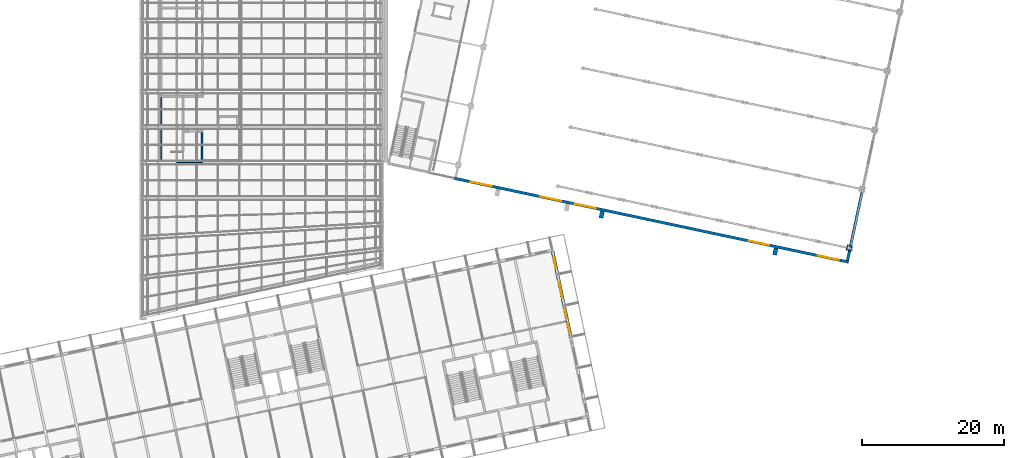
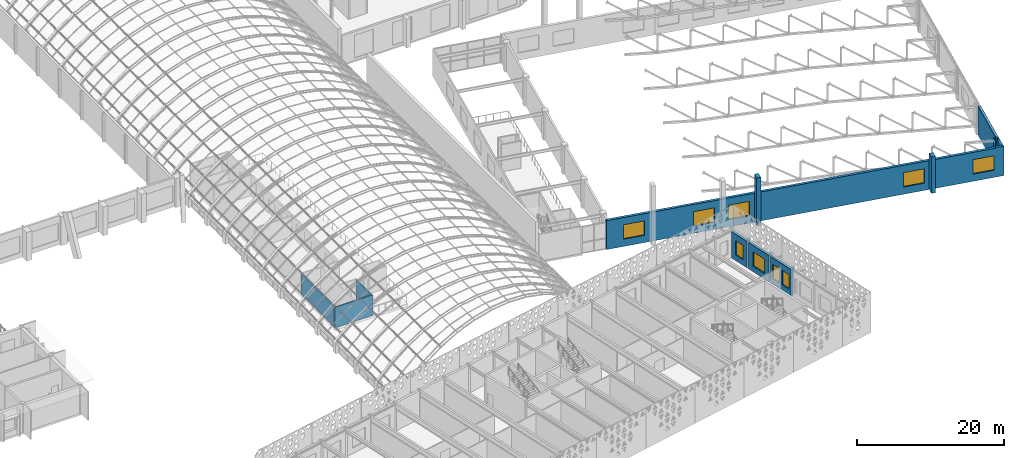
# One storey, part 134 of 182: 14 walls, 9 windows, 9 openings.
"""IFC4 building model written with IfcOpenShell, lengths in metres."""

from ifc_helpers import new_model, si_unit, direction, frame, frame_2d, origin, place, context, subcontext, project, spatial, polyline, rectangle, outline, extrude, material, layer, layer_set, type_object, element, fill, save


model = new_model("IFC4")

# Units and contexts
model_context = context("Model", 3, precision=1e-05, world=origin(), true_north=direction((0.0, 1.0)))
body_context = subcontext(model_context, "Body", "Model", "MODEL_VIEW")
ifc_project = project(units=[si_unit("LENGTHUNIT", "METRE"), si_unit("AREAUNIT", "SQUARE_METRE"), si_unit("VOLUMEUNIT", "CUBIC_METRE"), si_unit("PLANEANGLEUNIT", "RADIAN"), si_unit("MASSUNIT", "GRAM", prefix="KILO")], contexts=[model_context])

# Site, building, storey
site_placement = place(None, origin())
site = spatial("IfcSite", under=ifc_project, at=site_placement, CompositionType="ELEMENT")
building_placement = place(site_placement, origin())
building = spatial("IfcBuilding", under=site, at=building_placement, Name="Okhra Congress Centre", CompositionType="ELEMENT")
storey_placement = place(building_placement, frame((0.0, 0.0, 7.199951171875)))
storey = spatial("IfcBuildingStorey", under=building, at=storey_placement, Name="L01", CompositionType="ELEMENT", Elevation=7.199951171875)

# Walls
ifc_material_1 = material(Name="Concrete C35/45", Category="concrete")
ifc_layer_1 = layer(ifc_material_1, 0.60009765625)
ifc_layer_set_1 = layer_set([ifc_layer_1], Name="Ballroom wall fin 600 R 120 C35/45")
wall_type_1 = type_object("IfcWallType", Name="Ballroom wall fin 600 R 120 C35/45", PredefinedType="SOLIDWALL", material=ifc_layer_set_1)
wall_1_placement = place(storey_placement, frame((220.239501953125, 89.16357421875, 0.0), z_axis=(0.0, 0.0, 1.0), x_axis=(-0.207978453505, -0.978133407505, 0.0)))
element("IfcWall", 1, at=wall_1_placement, inside=storey, type_object=wall_type_1, Name="Ballroom wall fin south 3 L01", PredefinedType="SOLIDWALL", context=body_context, shape_type="SweptSolid", body=[
    extrude(rectangle(XDim=1.000244140625, YDim=0.60009765625, at=frame_2d((0.5, 0.0))), origin(), (0.0, 0.0, 1.0), 7.97802734375),
])
wall_2_placement = place(storey_placement, frame((244.693115234375, 83.965576171875, 0.0), z_axis=(0.0, 0.0, 1.0), x_axis=(-0.208028123778, -0.978122844901, 0.0)))
element("IfcWall", 2, at=wall_2_placement, inside=storey, type_object=wall_type_1, Name="Ballroom wall fin south 4 L01", PredefinedType="SOLIDWALL", context=body_context, shape_type="SweptSolid", body=[
    extrude(rectangle(XDim=1.0, YDim=0.60009765625, at=frame_2d((0.5, 0.0))), origin(), (0.0, 0.0, 1.0), 6.0419921875),
])
ifc_material_2 = material(Name="Insulated metal sandwich panel (mineral wool core)")
ifc_layer_2 = layer(ifc_material_2, 0.14990234375)
ifc_layer_set_2 = layer_set([ifc_layer_2], Name="Insulated infill panel 150")
wall_type_2 = type_object("IfcWallType", Name="Insulated infill panel 150", PredefinedType="SOLIDWALL", material=ifc_layer_set_2)
wall_3_placement = place(storey_placement, frame((254.642822265625, 83.639892578125, 1.25), z_axis=(0.0, 0.0, 1.0), x_axis=(0.207840504985, 0.978162729042, 0.0)))
element("IfcWall", 3, at=wall_3_placement, inside=storey, type_object=wall_type_2, Name="Ballroom east wall infill 1", PredefinedType="SOLIDWALL", context=body_context, shape_type="SweptSolid", body=[
    extrude(rectangle(XDim=0.800048828125, YDim=0.14990234375, at=frame_2d((0.39990234375, 0.0))), origin(), (0.0, 0.0, 1.0), 3.550048828125),
])

# Wall, openings, windows
ifc_material_3 = material(Name="Insulated metal panel on steel stud (mineral wool, vapour barrier)", Category="steel")
ifc_layer_3 = layer(ifc_material_3, 0.449951171875)
ifc_layer_set_3 = layer_set([ifc_layer_3], Name="Insulated wall 450")
wall_type_3 = type_object("IfcWallType", Name="Insulated wall 450", PredefinedType="SOLIDWALL", material=ifc_layer_set_3)
wall_4_placement = place(storey_placement, frame((215.753662109375, 71.60595703125, 0.0), z_axis=(0.0, 0.0, 1.0), x_axis=(-0.207873355681, 0.978155748334, 0.0)))
wall_4 = element("IfcWall", 4, at=wall_4_placement, inside=storey, type_object=wall_type_3, Name="External wall E4 L01", PredefinedType="SOLIDWALL", context=body_context, shape_type="SweptSolid", body=[
    extrude(rectangle(XDim=4.199951171875, YDim=0.449951171875, at=frame_2d((2.10009765625, 0.0))), origin(), (0.0, 0.0, 1.0), 4.35009765625),
])
opening_1_placement = place(wall_4_placement, frame((0.39990234375, 0.0, 0.89990234375)))
opening_1 = element("IfcOpeningElement", 5, at=opening_1_placement, cuts=wall_4, Name="Opening WN28", PredefinedType="OPENING", context=body_context, shape_type="SweptSolid", body=[
    extrude(rectangle(XDim=1.455078125, YDim=2.39990234375, at=frame_2d((0.7275390625, 1.199951171875))), frame((0.0, 0.23486328125, 0.0), z_axis=(0.0, -1.0, 0.0), x_axis=(1.0, 0.0, 0.0)), (0.0, 0.0, 1.0), 0.469970703125),
])
opening_2_placement = place(wall_4_placement, frame((2.405029296875, 0.0, 0.89990234375)))
opening_2 = element("IfcOpeningElement", 6, at=opening_2_placement, cuts=wall_4, Name="Opening WN29", PredefinedType="OPENING", context=body_context, shape_type="SweptSolid", body=[
    extrude(rectangle(XDim=1.39501953125, YDim=2.39990234375, at=frame_2d((0.697509765625, 1.199951171875))), frame((0.0, 0.23486328125, 0.0), z_axis=(0.0, -1.0, 0.0), x_axis=(1.0, 0.0, 0.0)), (0.0, 0.0, 1.0), 0.469970703125),
])
ifc_material_4 = material(Name="Thermally broken aluminium frame, triple glazing", Category="aluminium")
window_type_1 = type_object("IfcWindowType", Name="Fixed window 1395x2400", PartitioningType="SINGLE_PANEL", PredefinedType="WINDOW", material=ifc_material_4)
window_1_placement = place(opening_2_placement, origin())
window_1 = element("IfcWindow", 7, at=window_1_placement, inside=storey, type_object=window_type_1, Name="BX.WIN.L01.77", OverallHeight=2.39990234375, OverallWidth=1.39501953125, PartitioningType="SINGLE_PANEL", PredefinedType="WINDOW", context=body_context, shape_type="SweptSolid", body=[
    extrude(rectangle(XDim=1.39501953125, YDim=2.39990234375, at=frame_2d((0.697509765625, 1.199951171875))), frame((0.0, 0.030029296875, 0.0), z_axis=(0.0, -1.0, 0.0), x_axis=(1.0, 0.0, 0.0)), (0.0, 0.0, 1.0), 0.06005859375),
])
fill(opening_2, window_1)
window_type_2 = type_object("IfcWindowType", Name="Fixed window 1455x2400", PartitioningType="SINGLE_PANEL", PredefinedType="WINDOW", material=ifc_material_4)
window_2_placement = place(opening_1_placement, origin())
window_2 = element("IfcWindow", 8, at=window_2_placement, inside=storey, type_object=window_type_2, Name="BX.WIN.L01.76", OverallHeight=2.39990234375, OverallWidth=1.455078125, PartitioningType="SINGLE_PANEL", PredefinedType="WINDOW", context=body_context, shape_type="SweptSolid", body=[
    extrude(rectangle(XDim=1.455078125, YDim=2.39990234375, at=frame_2d((0.7275390625, 1.199951171875))), frame((0.0, 0.030029296875, 0.0), z_axis=(0.0, -1.0, 0.0), x_axis=(1.0, 0.0, 0.0)), (0.0, 0.0, 1.0), 0.06005859375),
])
fill(opening_1, window_2)

# Wall, opening, window
wall_5_placement = place(storey_placement, frame((214.818115234375, 76.007568359375, 0.0), z_axis=(0.0, 0.0, 1.0), x_axis=(-0.207917150959, 0.978146440129, 0.0)))
wall_5 = element("IfcWall", 9, at=wall_5_placement, inside=storey, type_object=wall_type_3, Name="External wall E5 L01", PredefinedType="SOLIDWALL", context=body_context, shape_type="SweptSolid", body=[
    extrude(rectangle(XDim=4.2001953125, YDim=0.449951171875, at=frame_2d((2.10009765625, 0.0))), origin(), (0.0, 0.0, 1.0), 4.35009765625),
])
opening_3_placement = place(wall_5_placement, frame((0.89990234375, 0.0, 0.89990234375)))
opening_3 = element("IfcOpeningElement", 10, at=opening_3_placement, cuts=wall_5, Name="Opening WN22", PredefinedType="OPENING", context=body_context, shape_type="SweptSolid", body=[
    extrude(rectangle(XDim=2.39990234375, YDim=2.39990234375, at=frame_2d((1.199951171875, 1.199951171875))), frame((0.0, 0.23486328125, 0.0), z_axis=(0.0, -1.0, 0.0), x_axis=(1.0, 0.0, 0.0)), (0.0, 0.0, 1.0), 0.469970703125),
])
window_type_3 = type_object("IfcWindowType", Name="Fixed window 2400x2400", PartitioningType="SINGLE_PANEL", PredefinedType="WINDOW", material=ifc_material_4)
window_3_placement = place(opening_3_placement, origin())
window_3 = element("IfcWindow", 11, at=window_3_placement, inside=storey, type_object=window_type_3, Name="BX.WIN.L01.78", OverallHeight=2.39990234375, OverallWidth=2.39990234375, PartitioningType="SINGLE_PANEL", PredefinedType="WINDOW", context=body_context, shape_type="SweptSolid", body=[
    extrude(rectangle(XDim=2.39990234375, YDim=2.39990234375, at=frame_2d((1.199951171875, 1.199951171875))), frame((0.0, 0.030029296875, 0.0), z_axis=(0.0, -1.0, 0.0), x_axis=(1.0, 0.0, 0.0)), (0.0, 0.0, 1.0), 0.06005859375),
])
fill(opening_3, window_3)

wall_6_placement = place(storey_placement, frame((213.882568359375, 80.409423828125, 0.0), z_axis=(0.0, 0.0, 1.0), x_axis=(-0.207933268122, 0.978143014087, 0.0)))
wall_6 = element("IfcWall", 12, at=wall_6_placement, inside=storey, type_object=wall_type_3, Name="External wall E6 L01", PredefinedType="SOLIDWALL", context=body_context, shape_type="SweptSolid", body=[
    extrude(rectangle(XDim=3.135009765625, YDim=0.449951171875, at=frame_2d((1.5673828125, 0.0))), origin(), (0.0, 0.0, 1.0), 4.35009765625),
])
opening_4_placement = place(wall_6_placement, frame((0.8173828125, 0.0, 0.89990234375)))
opening_4 = element("IfcOpeningElement", 13, at=opening_4_placement, cuts=wall_6, Name="Opening WN20", PredefinedType="OPENING", context=body_context, shape_type="SweptSolid", body=[
    extrude(rectangle(XDim=1.5, YDim=2.39990234375, at=frame_2d((0.75, 1.199951171875))), frame((0.0, 0.23486328125, 0.0), z_axis=(0.0, -1.0, 0.0), x_axis=(1.0, 0.0, 0.0)), (0.0, 0.0, 1.0), 0.469970703125),
])
window_type_4 = type_object("IfcWindowType", Name="Fixed window 1500x2400", PartitioningType="SINGLE_PANEL", PredefinedType="WINDOW", material=ifc_material_4)
window_4_placement = place(opening_4_placement, origin())
window_4 = element("IfcWindow", 14, at=window_4_placement, inside=storey, type_object=window_type_4, Name="BX.WIN.L01.79", OverallHeight=2.39990234375, OverallWidth=1.5, PartitioningType="SINGLE_PANEL", PredefinedType="WINDOW", context=body_context, shape_type="SweptSolid", body=[
    extrude(rectangle(XDim=1.5, YDim=2.39990234375, at=frame_2d((0.75, 1.199951171875))), frame((0.0, 0.030029296875, 0.0), z_axis=(0.0, -1.0, 0.0), x_axis=(1.0, 0.0, 0.0)), (0.0, 0.0, 1.0), 0.06005859375),
])
fill(opening_4, window_4)

# Wall, openings, windows
ifc_layer_4 = layer(ifc_material_2, 0.39990234375)
ifc_layer_set_4 = layer_set([ifc_layer_4], Name="Insulated wall panel 400")
wall_type_4 = type_object("IfcWallType", Name="Insulated wall panel 400", PredefinedType="SOLIDWALL", material=ifc_layer_set_4)
wall_7_placement = place(storey_placement, frame((199.2802734375, 93.822998046875, 0.0), z_axis=(0.0, 0.0, 1.0), x_axis=(0.97814742614, -0.207912512214, 0.0)))
wall_7 = element("IfcWall", 15, at=wall_7_placement, inside=storey, type_object=wall_type_4, Name="Ballroom south wall L01", PredefinedType="SOLIDWALL", context=body_context, shape_type="SweptSolid", body=[
    extrude(outline(polyline([(0.0, 0.0), (56.869873046875, 0.0), (56.8701171875, 4.830078125), (55.693603515625, 4.949951171875), (55.692626953125, 4.800048828125), (0.0, 4.800048828125), (0.0, 0.0)])), frame((0.0, 0.199951171875, 0.0), z_axis=(0.0, -1.0, 0.0), x_axis=(1.0, 0.0, 0.0)), (0.0, 0.0, 1.0), 0.39990234375),
])
opening_5_placement = place(wall_7_placement, frame((2.469970703125, 0.0, 1.199951171875)))
opening_5 = element("IfcOpeningElement", 16, at=opening_5_placement, cuts=wall_7, Name="Opening WN13", PredefinedType="OPENING", context=body_context, shape_type="SweptSolid", body=[
    extrude(rectangle(XDim=3.0, YDim=2.39990234375, at=frame_2d((1.5, 1.199951171875))), frame((0.0, 0.2099609375, 0.0), z_axis=(0.0, -1.0, 0.0), x_axis=(1.0, 0.0, 0.0)), (0.0, 0.0, 1.0), 0.419921875),
])
opening_6_placement = place(wall_7_placement, frame((12.469970703125, 0.0, 1.199951171875)))
opening_6 = element("IfcOpeningElement", 17, at=opening_6_placement, cuts=wall_7, Name="Opening WN13", PredefinedType="OPENING", context=body_context, shape_type="SweptSolid", body=[
    extrude(rectangle(XDim=3.0, YDim=2.39990234375, at=frame_2d((1.5, 1.199951171875))), frame((0.0, 0.2099609375, 0.0), z_axis=(0.0, -1.0, 0.0), x_axis=(1.0, 0.0, 0.0)), (0.0, 0.0, 1.0), 0.419921875),
])
opening_7_placement = place(wall_7_placement, frame((17.469970703125, 0.0, 1.199951171875)))
opening_7 = element("IfcOpeningElement", 18, at=opening_7_placement, cuts=wall_7, Name="Opening WN13", PredefinedType="OPENING", context=body_context, shape_type="SweptSolid", body=[
    extrude(rectangle(XDim=3.0, YDim=2.39990234375, at=frame_2d((1.5, 1.199951171875))), frame((0.0, 0.2099609375, 0.0), z_axis=(0.0, -1.0, 0.0), x_axis=(1.0, 0.0, 0.0)), (0.0, 0.0, 1.0), 0.419921875),
])
opening_8_placement = place(wall_7_placement, frame((42.469970703125, 0.0, 1.199951171875)))
opening_8 = element("IfcOpeningElement", 19, at=opening_8_placement, cuts=wall_7, Name="Opening WN13", PredefinedType="OPENING", context=body_context, shape_type="SweptSolid", body=[
    extrude(rectangle(XDim=3.0, YDim=2.39990234375, at=frame_2d((1.5, 1.199951171875))), frame((0.0, 0.2099609375, 0.0), z_axis=(0.0, -1.0, 0.0), x_axis=(1.0, 0.0, 0.0)), (0.0, 0.0, 1.0), 0.419921875),
])
opening_9_placement = place(wall_7_placement, frame((52.469970703125, 0.0, 1.199951171875)))
opening_9 = element("IfcOpeningElement", 20, at=opening_9_placement, cuts=wall_7, Name="Opening WN13", PredefinedType="OPENING", context=body_context, shape_type="SweptSolid", body=[
    extrude(rectangle(XDim=3.0, YDim=2.39990234375, at=frame_2d((1.5, 1.199951171875))), frame((0.0, 0.2099609375, 0.0), z_axis=(0.0, -1.0, 0.0), x_axis=(1.0, 0.0, 0.0)), (0.0, 0.0, 1.0), 0.419921875),
])
window_type_5 = type_object("IfcWindowType", Name="Fixed window 3000x2400", PartitioningType="SINGLE_PANEL", PredefinedType="WINDOW", material=ifc_material_4)
window_5_placement = place(opening_5_placement, origin())
window_5 = element("IfcWindow", 21, at=window_5_placement, inside=storey, type_object=window_type_5, Name="Ballroom clerestory window", OverallHeight=2.39990234375, OverallWidth=3.0, PartitioningType="SINGLE_PANEL", PredefinedType="WINDOW", context=body_context, shape_type="SweptSolid", body=[
    extrude(rectangle(XDim=3.0, YDim=2.39990234375, at=frame_2d((1.5, 1.199951171875))), frame((0.0, 0.030029296875, 0.0), z_axis=(0.0, -1.0, 0.0), x_axis=(1.0, 0.0, 0.0)), (0.0, 0.0, 1.0), 0.06005859375),
])
fill(opening_5, window_5)
window_6_placement = place(opening_6_placement, origin())
window_6 = element("IfcWindow", 22, at=window_6_placement, inside=storey, type_object=window_type_5, Name="Ballroom clerestory window", OverallHeight=2.39990234375, OverallWidth=3.0, PartitioningType="SINGLE_PANEL", PredefinedType="WINDOW", context=body_context, shape_type="SweptSolid", body=[
    extrude(rectangle(XDim=3.0, YDim=2.39990234375, at=frame_2d((1.5, 1.199951171875))), frame((0.0, 0.030029296875, 0.0), z_axis=(0.0, -1.0, 0.0), x_axis=(1.0, 0.0, 0.0)), (0.0, 0.0, 1.0), 0.06005859375),
])
fill(opening_6, window_6)
window_7_placement = place(opening_7_placement, origin())
window_7 = element("IfcWindow", 23, at=window_7_placement, inside=storey, type_object=window_type_5, Name="Ballroom clerestory window", OverallHeight=2.39990234375, OverallWidth=3.0, PartitioningType="SINGLE_PANEL", PredefinedType="WINDOW", context=body_context, shape_type="SweptSolid", body=[
    extrude(rectangle(XDim=3.0, YDim=2.39990234375, at=frame_2d((1.5, 1.199951171875))), frame((0.0, 0.030029296875, 0.0), z_axis=(0.0, -1.0, 0.0), x_axis=(1.0, 0.0, 0.0)), (0.0, 0.0, 1.0), 0.06005859375),
])
fill(opening_7, window_7)
window_8_placement = place(opening_8_placement, origin())
window_8 = element("IfcWindow", 24, at=window_8_placement, inside=storey, type_object=window_type_5, Name="Ballroom clerestory window", OverallHeight=2.39990234375, OverallWidth=3.0, PartitioningType="SINGLE_PANEL", PredefinedType="WINDOW", context=body_context, shape_type="SweptSolid", body=[
    extrude(rectangle(XDim=3.0, YDim=2.39990234375, at=frame_2d((1.5, 1.199951171875))), frame((0.0, 0.030029296875, 0.0), z_axis=(0.0, -1.0, 0.0), x_axis=(1.0, 0.0, 0.0)), (0.0, 0.0, 1.0), 0.06005859375),
])
fill(opening_8, window_8)
window_9_placement = place(opening_9_placement, origin())
window_9 = element("IfcWindow", 25, at=window_9_placement, inside=storey, type_object=window_type_5, Name="Ballroom clerestory window", OverallHeight=2.39990234375, OverallWidth=3.0, PartitioningType="SINGLE_PANEL", PredefinedType="WINDOW", context=body_context, shape_type="SweptSolid", body=[
    extrude(rectangle(XDim=3.0, YDim=2.39990234375, at=frame_2d((1.5, 1.199951171875))), frame((0.0, 0.030029296875, 0.0), z_axis=(0.0, -1.0, 0.0), x_axis=(1.0, 0.0, 0.0)), (0.0, 0.0, 1.0), 0.06005859375),
])
fill(opening_9, window_9)

# Walls
wall_8_placement = place(storey_placement, frame((254.75341796875, 82.236328125, 0.0), z_axis=(0.0, 0.0, 1.0), x_axis=(0.207824143845, 0.978166205322, 0.0)))
element("IfcWall", 26, at=wall_8_placement, inside=storey, type_object=wall_type_4, Name="Ballroom east wall", PredefinedType="SOLIDWALL", context=body_context, shape_type="SweptSolid", body=[
    extrude(rectangle(XDim=1.349853515625, YDim=0.39990234375, at=frame_2d((0.6748046875, 0.0))), origin(), (0.0, 0.0, 1.0), 4.800048828125),
])
wall_9_placement = place(storey_placement, frame((255.200439453125, 84.33935546875, 0.0), z_axis=(0.0, 0.0, 1.0), x_axis=(0.207900468663, 0.978149986009, 0.0)))
element("IfcWall", 27, at=wall_9_placement, inside=storey, type_object=wall_type_4, Name="Ballroom east wall", PredefinedType="SOLIDWALL", context=body_context, shape_type="SweptSolid", body=[
    extrude(rectangle(XDim=7.699951171875, YDim=0.39990234375, at=frame_2d((3.85009765625, 0.0))), origin(), (0.0, 0.0, 1.0), 4.800048828125),
])
for number, where, z_axis, x_axis, name in (
    (28, (255.033935546875, 83.556640625, 1.25), (0.0, 0.0, 1.0), (0.208306395052, 0.978063620518, 0.0), "Ballroom east wall"),
    (29, (255.137939453125, 84.0458984375, 1.25), (0.0, 0.0, 1.0), (0.208306395052, 0.978063620518, 0.0), "Ballroom east wall"),
):
    element("IfcWall", number, at=place(storey_placement, frame(where, z_axis=z_axis, x_axis=x_axis)), inside=storey, type_object=wall_type_4, Name=name, PredefinedType="SOLIDWALL", context=body_context, shape_type="SweptSolid", body=[
        extrude(rectangle(XDim=0.300048828125, YDim=0.39990234375, at=frame_2d((0.14990234375, 0.0))), origin(), (0.0, 0.0, 1.0), 3.550048828125),
    ])
ifc_material_5 = material(Name="Concrete C30/37", Category="concrete")
ifc_layer_5 = layer(ifc_material_5, 0.199951171875)
ifc_layer_set_5 = layer_set([ifc_layer_5], Name="RC wall 200 REI 120 C30/37")
wall_type_5 = type_object("IfcWallType", Name="RC wall 200 REI 120 C30/37", PredefinedType="SOLIDWALL", material=ifc_layer_set_5)
wall_10_placement = place(storey_placement, frame((158.0, 96.10009765625, 0.0), z_axis=(0.0, 0.0, 1.0), x_axis=(1.0, 0.0, 0.0)))
element("IfcWall", 30, at=wall_10_placement, inside=storey, type_object=wall_type_5, Name="Gallery stair cell and lobby south wall L01", PredefinedType="SOLIDWALL", context=body_context, shape_type="SweptSolid", body=[
    extrude(rectangle(XDim=5.949951171875, YDim=0.199951171875, at=frame_2d((2.97509765625, 0.0))), origin(), (0.0, 0.0, 1.0), 3.400146484375),
])
wall_11_placement = place(storey_placement, frame((158.10009765625, 96.199951171875, 0.0), z_axis=(0.0, 0.0, 1.0), x_axis=(0.0, 1.0, 0.0)))
element("IfcWall", 31, at=wall_11_placement, inside=storey, type_object=wall_type_5, Name="Gallery stair cell west wall L01", PredefinedType="SOLIDWALL", context=body_context, shape_type="SweptSolid", body=[
    extrude(rectangle(XDim=9.0, YDim=0.199951171875, at=frame_2d((4.5, 0.0))), origin(), (0.0, 0.0, 1.0), 3.400146484375),
])
wall_12_placement = place(storey_placement, frame((163.85009765625, 96.199951171875, 0.0), z_axis=(0.0, 0.0, 1.0), x_axis=(0.0, 1.0, 0.0)))
element("IfcWall", 32, at=wall_12_placement, inside=storey, type_object=wall_type_5, Name="Gallery stair lobby east wall L01", PredefinedType="SOLIDWALL", context=body_context, shape_type="SweptSolid", body=[
    extrude(rectangle(XDim=4.10009765625, YDim=0.199951171875, at=frame_2d((2.050048828125, 0.0))), origin(), (0.0, 0.0, 1.0), 3.400146484375),
])

save(model, "model.ifc")
